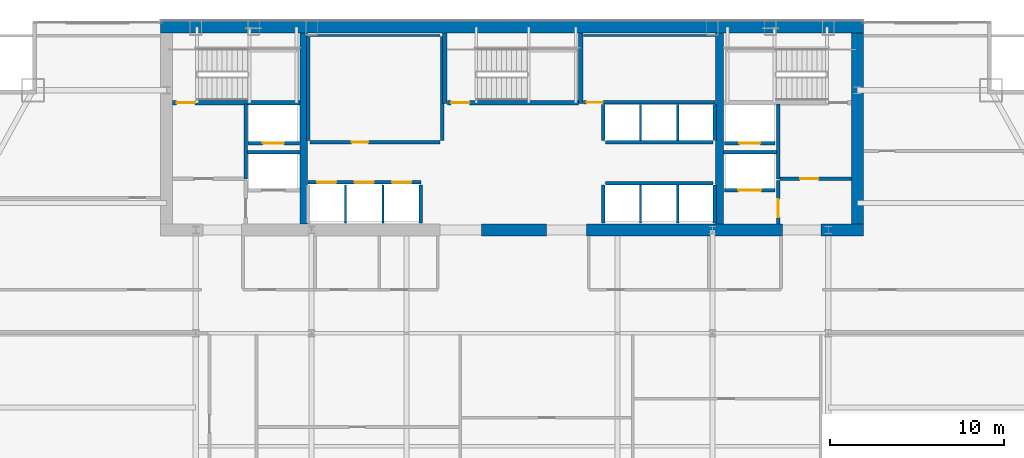
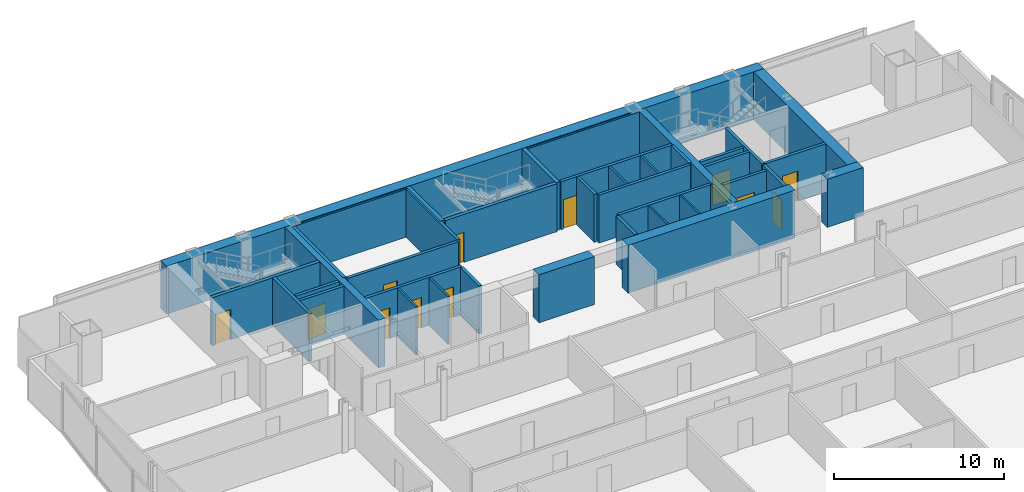
# One storey, part 26 of 29: 40 walls, 12 doors, 12 openings.
"""IFC4 building model written with IfcOpenShell, lengths in metres."""

import ifcopenshell
import ifcopenshell.guid

model = None  # the IFC model being written
_history = None  # IfcOwnerHistory: only IFC2X3 demands one
_inside = {}  # id of a spatial element -> (the spatial element, [elements in it])
_under = {}  # id of a project, library or spatial element -> (it, [spatial elements below it])
_declared = {}  # id of a project -> (the project, [libraries it declares])
_typed = {}  # id of a type object -> (the type object, [elements of that type])
_made_of = {}  # id of a material, layer set ... -> (it, [elements and type objects made of it])


def new_model(schema):
    """Start an empty IFC model of exactly this schema.

    Asked for "IFC4X3", IfcOpenShell would pick the latest addendum, in which some entities
    have other attributes; the version numbers below select the first issue.
    IFC2X3 requires an IfcOwnerHistory on every rooted entity: one is made here for all.
    """
    global model, _history
    if schema == "IFC4X3":
        model = ifcopenshell.file(schema_version=(4, 3, 0, 0))
    else:
        model = ifcopenshell.file(schema=schema)
    _inside.clear()
    _under.clear()
    _declared.clear()
    _typed.clear()
    _made_of.clear()
    _history = None
    if model.schema == "IFC2X3":
        org = make("IfcOrganization", Name="unknown")
        user = make(
            "IfcPersonAndOrganization",
            ThePerson=make("IfcPerson", FamilyName="unknown"),
            TheOrganization=org,
        )
        app = make(
            "IfcApplication",
            ApplicationDeveloper=org,
            Version="unknown",
            ApplicationFullName="unknown",
            ApplicationIdentifier="unknown",
        )
        _history = make(
            "IfcOwnerHistory",
            OwningUser=user,
            OwningApplication=app,
            ChangeAction="ADDED",
            CreationDate=0,
        )
    return model


def make(cls, **values):
    """One entity of the class cls with the attributes given. An attribute that is None is left unset."""
    return model.create_entity(
        cls, **{name: value for name, value in values.items() if value is not None}
    )


def rooted(cls, **values):
    """An entity with a GlobalId (a new one), such as an element, a storey or a relation."""
    return make(cls, GlobalId=ifcopenshell.guid.new(), OwnerHistory=_history, **values)


def si_unit(unit_type, name, prefix=None):
    """IfcSIUnit, for example si_unit("LENGTHUNIT", "METRE", prefix="MILLI")."""
    return make("IfcSIUnit", UnitType=unit_type, Prefix=prefix, Name=name)


def assignment(units):
    """IfcUnitAssignment: the units of a project."""
    return None if units is None else make("IfcUnitAssignment", Units=units)


def point(xyz):
    """IfcCartesianPoint."""
    return None if xyz is None else make("IfcCartesianPoint", Coordinates=xyz)


def direction(xyz):
    """IfcDirection."""
    return None if xyz is None else make("IfcDirection", DirectionRatios=xyz)


def frame(location, z_axis=None, x_axis=None):
    """IfcAxis2Placement3D, a coordinate frame: its origin and axes. An axis left out is left unset."""
    return make(
        "IfcAxis2Placement3D",
        Location=point(location),
        Axis=direction(z_axis),
        RefDirection=direction(x_axis),
    )


def frame_2d(location, x_axis=None):
    """IfcAxis2Placement2D, a coordinate frame in the plane: its origin and x axis."""
    return make(
        "IfcAxis2Placement2D", Location=point(location), RefDirection=direction(x_axis)
    )


def origin():
    """The frame at (0, 0, 0) with its axes left unset."""
    return frame((0.0, 0.0, 0.0))


def place(relative_to, where):
    """IfcLocalPlacement: puts the frame where relative to a parent placement (None: the world)."""
    return make(
        "IfcLocalPlacement", PlacementRelTo=relative_to, RelativePlacement=where
    )


def context(
    kind, dimensions, precision=None, world=None, true_north=None, identifier=None
):
    """IfcGeometricRepresentationContext, for example the 3D "Model" context."""
    return make(
        "IfcGeometricRepresentationContext",
        ContextIdentifier=identifier,
        ContextType=kind,
        CoordinateSpaceDimension=dimensions,
        Precision=precision,
        WorldCoordinateSystem=world,
        TrueNorth=true_north,
    )


def subcontext(parent, identifier, kind, view, scale=None):
    """IfcGeometricRepresentationSubContext, for example "Body" below "Model"."""
    return make(
        "IfcGeometricRepresentationSubContext",
        ContextIdentifier=identifier,
        ContextType=kind,
        ParentContext=parent,
        TargetScale=scale,
        TargetView=view,
    )


def project(units=None, contexts=None):
    """IfcProject with its units and contexts."""
    return rooted(
        "IfcProject",
        Name="project",
        RepresentationContexts=contexts,
        UnitsInContext=assignment(units),
    )


def spatial(cls, under=None, at=None, **own):
    """A site, building, storey or space (cls), placed at a placement, below another one or the project."""
    s = rooted(cls, ObjectPlacement=at, **own)
    if under is not None:
        _under.setdefault(under.id(), (under, []))[1].append(s)
    return s


def profile(cls, at=None, kind="AREA", **sizes):
    """A parametric profile (cls). Its sizes go by their IFC names, for example OverallWidth=200.0."""
    return make(cls, ProfileType=kind, Position=at, **sizes)


def rectangle(**sizes):
    """IfcRectangleProfileDef."""
    return profile("IfcRectangleProfileDef", **sizes)


def extrude(swept, where, along, depth):
    """IfcExtrudedAreaSolid: the profile swept, set in the frame where, extruded along a direction by depth."""
    return make(
        "IfcExtrudedAreaSolid",
        SweptArea=swept,
        Position=where,
        ExtrudedDirection=direction(along),
        Depth=depth,
    )


def shape(context_of_items, identifier, shape_type, items):
    """IfcShapeRepresentation: the items that make up one representation, for example the "Body"."""
    return make(
        "IfcShapeRepresentation",
        ContextOfItems=context_of_items,
        RepresentationIdentifier=identifier,
        RepresentationType=shape_type,
        Items=items,
    )


def material(Name=None, Category=None):
    """IfcMaterial."""
    return make("IfcMaterial", Name=Name, Category=Category)


def layer(
    of_material, thickness, ventilated=None, Name=None, Category=None, Priority=None
):
    """IfcMaterialLayer: one layer of a wall or slab, of a material (None: an air gap)."""
    return make(
        "IfcMaterialLayer",
        Material=of_material,
        LayerThickness=thickness,
        IsVentilated=ventilated,
        Name=Name,
        Category=Category,
        Priority=Priority,
    )


def layer_set(layers, Name=None):
    """IfcMaterialLayerSet."""
    return make("IfcMaterialLayerSet", MaterialLayers=layers, LayerSetName=Name)


def made_of(thing, what):
    """Note that an element or type object is made of a material, layer set ...; save() writes the relation."""
    if what is not None:
        _made_of.setdefault(what.id(), (what, []))[1].append(thing)
    return thing


def type_object(cls, material=None, **own):
    """A type object (cls), such as IfcWallType, which elements share."""
    return made_of(rooted(cls, **own), material)


def element(
    cls,
    number,
    at=None,
    inside=None,
    cuts=None,
    type_object=None,
    material=None,
    context=None,
    identifier="Body",
    shape_type=None,
    held_by="IfcProductDefinitionShape",
    body=None,
    shapes=None,
    **own,
):
    """One element of the class cls, such as IfcWall. Its Tag is "e" and its number.

    at: its placement. inside: the storey or other place that contains it. cuts: it is an
    opening in that element (IfcRelVoidsElement). A single representation is given by context,
    identifier, shape_type and body (its items); several are given by shapes. held_by: the class
    of the entity that holds the representations. save() writes the other relations.
    """
    e = rooted(cls, Tag="e%d" % number, ObjectPlacement=at, **own)
    if body is not None:
        shapes = [shape(context, identifier, shape_type, body)]
    if shapes is not None:
        e.Representation = make(held_by, Representations=shapes)
    if inside is not None:
        _inside.setdefault(inside.id(), (inside, []))[1].append(e)
    if cuts is not None:
        rooted(
            "IfcRelVoidsElement", RelatingBuildingElement=cuts, RelatedOpeningElement=e
        )
    if type_object is not None:
        _typed.setdefault(type_object.id(), (type_object, []))[1].append(e)
    return made_of(e, material)


def fill(opening, filler):
    """IfcRelFillsElement: the door or window that sits in an opening."""
    return rooted(
        "IfcRelFillsElement",
        RelatingOpeningElement=opening,
        RelatedBuildingElement=filler,
    )


def aggregate(whole, parts):
    """IfcRelAggregates: a whole, such as a stair, and the parts it consists of."""
    return rooted("IfcRelAggregates", RelatingObject=whole, RelatedObjects=parts)


def save(model, path):
    """Write the relations noted so far, then the file.

    IfcRelAggregates (storeys below a building ...), IfcRelContainedInSpatialStructure (elements
    in a storey), IfcRelDefinesByType, IfcRelAssociatesMaterial and IfcRelDeclares: one each for
    every whole, place, type object, material and project.
    """
    for whole, parts in _under.values():
        aggregate(whole, parts)
    for where, things in _inside.values():
        rooted(
            "IfcRelContainedInSpatialStructure",
            RelatedElements=things,
            RelatingStructure=where,
        )
    for kind, things in _typed.values():
        rooted("IfcRelDefinesByType", RelatedObjects=things, RelatingType=kind)
    for what, things in _made_of.values():
        rooted("IfcRelAssociatesMaterial", RelatedObjects=things, RelatingMaterial=what)
    for by, libraries in _declared.values():
        rooted("IfcRelDeclares", RelatingContext=by, RelatedDefinitions=libraries)
    model.write(path)


model = new_model("IFC4")

# Units and contexts
model_context = context("Model", 3, precision=1e-05, world=origin(), true_north=direction((0.0, 1.0)))
body_context = subcontext(model_context, "Body", "Model", "MODEL_VIEW")
ifc_project = project(units=[si_unit("LENGTHUNIT", "METRE"), si_unit("AREAUNIT", "SQUARE_METRE"), si_unit("VOLUMEUNIT", "CUBIC_METRE"), si_unit("PLANEANGLEUNIT", "RADIAN"), si_unit("MASSUNIT", "GRAM", prefix="KILO")], contexts=[model_context])

# Site, building, storey
site_placement = place(None, origin())
site = spatial("IfcSite", under=ifc_project, at=site_placement, CompositionType="ELEMENT")
building_placement = place(site_placement, origin())
building = spatial("IfcBuilding", under=site, at=building_placement, Name="Khoronbel Lancet Exchange", CompositionType="ELEMENT")
storey_placement = place(building_placement, frame((0.0, 0.0, 143.39990234375)))
storey = spatial("IfcBuildingStorey", under=building, at=storey_placement, Name="L35", CompositionType="ELEMENT", Elevation=143.39990234375)

# Walls
ifc_material_1 = material(Name="Concrete C80/95", Category="concrete")
ifc_layer_1 = layer(ifc_material_1, 0.699951171875, Name="Concrete C80/95")
ifc_layer_set_1 = layer_set([ifc_layer_1], Name="Concrete C80/95")
wall_type_1 = type_object("IfcWallType", Name="WL-CW2", PredefinedType="SHEAR", material=ifc_layer_set_1)
wall_1_placement = place(storey_placement, frame((16.199951171875, 53.35009765625, 0.0), z_axis=(0.0, 0.0, 1.0), x_axis=(1.0, 0.0, 0.0)))
element("IfcWall", 1, at=wall_1_placement, inside=storey, type_object=wall_type_1, Name="Level L35 rear core north shear wall", PredefinedType="SHEAR", context=body_context, shape_type="SweptSolid", body=[
    extrude(rectangle(XDim=40.5, YDim=0.699951171875, at=frame_2d((20.25, 0.0))), origin(), (0.0, 0.0, 1.0), 3.440185546875),
])
wall_2_placement = place(storey_placement, frame((56.35009765625, 53.0, 0.0), z_axis=(0.0, 0.0, 1.0), x_axis=(0.0, -1.0, 0.0)))
element("IfcWall", 2, at=wall_2_placement, inside=storey, type_object=wall_type_1, Name="Level L35 rear core east shear wall", PredefinedType="SHEAR", context=body_context, shape_type="SweptSolid", body=[
    extrude(rectangle(XDim=11.0, YDim=0.699951171875, at=frame_2d((5.5, 0.0))), origin(), (0.0, 0.0, 1.0), 3.440185546875),
])
wall_3_placement = place(storey_placement, frame((38.449951171875, 41.64990234375, 0.0), z_axis=(0.0, 0.0, 1.0), x_axis=(-1.0, 0.0, 0.0)))
element("IfcWall", 3, at=wall_3_placement, inside=storey, type_object=wall_type_1, Name="Level L35 rear core south shear wall pier P3", PredefinedType="SHEAR", context=body_context, shape_type="SweptSolid", body=[
    extrude(rectangle(XDim=3.75, YDim=0.699951171875, at=frame_2d((1.875, 0.0))), origin(), (0.0, 0.0, 1.0), 3.440185546875),
])
wall_4_placement = place(storey_placement, frame((52.050048828125, 41.64990234375, 0.0), z_axis=(0.0, 0.0, 1.0), x_axis=(-1.0, 0.0, 0.0)))
element("IfcWall", 4, at=wall_4_placement, inside=storey, type_object=wall_type_1, Name="Level L35 rear core south shear wall pier P4", PredefinedType="SHEAR", context=body_context, shape_type="SweptSolid", body=[
    extrude(rectangle(XDim=11.300048828125, YDim=0.699951171875, at=frame_2d((5.64990234375, 0.0))), origin(), (0.0, 0.0, 1.0), 3.440185546875),
])
wall_5_placement = place(storey_placement, frame((56.699951171875, 41.64990234375, 0.0), z_axis=(0.0, 0.0, 1.0), x_axis=(-1.0, 0.0, 0.0)))
element("IfcWall", 5, at=wall_5_placement, inside=storey, type_object=wall_type_1, Name="Level L35 rear core south shear wall pier P5", PredefinedType="SHEAR", context=body_context, shape_type="SweptSolid", body=[
    extrude(rectangle(XDim=2.449951171875, YDim=0.699951171875, at=frame_2d((1.22509765625, 0.0))), origin(), (0.0, 0.0, 1.0), 3.440185546875),
])
ifc_material_2 = material(Name="Fire-Rated Metal-Stud & Mineral-Wool Gypsum Partition 120 mm", Category="gypsum")
ifc_layer_2 = layer(ifc_material_2, 0.1201171875, Name="Fire-Rated Metal-Stud & Mineral-Wool Gypsum Partition 120 mm")
ifc_layer_set_2 = layer_set([ifc_layer_2], Name="Fire-Rated Metal-Stud & Mineral-Wool Gypsum Partition 120 mm")
wall_type_2 = type_object("IfcWallType", Name="WL-PRT120F", PredefinedType="PARTITIONING", material=ifc_layer_set_2)
wall_6_placement = place(storey_placement, frame((24.804931640625, 52.860107421875, 0.0), z_axis=(0.0, 0.0, 1.0), x_axis=(1.0, 0.0, 0.0)))
element("IfcWall", 6, at=wall_6_placement, inside=storey, type_object=wall_type_2, Name="Level L35 interior partition CW-PL-RN", PredefinedType="PARTITIONING", context=body_context, shape_type="SweptSolid", body=[
    extrude(rectangle(XDim=7.510009765625, YDim=0.1201171875, at=frame_2d((3.7548828125, 0.0))), origin(), (0.0, 0.0, 1.0), 3.440185546875),
])
for number, where, z_axis, x_axis, name in (
    (7, (26.860107421875, 42.050048828125, 0.0), (0.0, 0.0, 1.0), (0.0, 1.0, 0.0), "Level L35 interior partition CW-PM-D1"),
    (8, (29.02001953125, 42.050048828125, 0.0), (0.0, 0.0, 1.0), (0.0, 1.0, 0.0), "Level L35 interior partition CW-PM-D2"),
):
    element("IfcWall", number, at=place(storey_placement, frame(where, z_axis=z_axis, x_axis=x_axis)), inside=storey, type_object=wall_type_2, Name=name, PredefinedType="PARTITIONING", context=body_context, shape_type="SweptSolid", body=[
        extrude(rectangle(XDim=2.199951171875, YDim=0.1201171875, at=frame_2d((1.10009765625, 0.0))), origin(), (0.0, 0.0, 1.0), 3.440185546875),
    ])
for number, where, z_axis, x_axis, name in (
    (9, (43.860107421875, 46.804931640625, 0.0), (0.0, 0.0, 1.0), (0.0, 1.0, 0.0), "Level L35 interior partition CW-PH-D1"),
    (10, (46.0, 46.804931640625, 0.0), (0.0, 0.0, 1.0), (0.0, 1.0, 0.0), "Level L35 interior partition CW-PH-D2"),
):
    element("IfcWall", number, at=place(storey_placement, frame(where, z_axis=z_axis, x_axis=x_axis)), inside=storey, type_object=wall_type_2, Name=name, PredefinedType="PARTITIONING", context=body_context, shape_type="SweptSolid", body=[
        extrude(rectangle(XDim=2.090087890625, YDim=0.1201171875, at=frame_2d((1.044921875, 0.0))), origin(), (0.0, 0.0, 1.0), 3.440185546875),
    ])
for number, where, z_axis, x_axis, name in (
    (11, (43.860107421875, 42.050048828125, 0.0), (0.0, 0.0, 1.0), (0.0, 1.0, 0.0), "Level L35 interior partition CW-PX-D1"),
    (12, (46.0, 42.050048828125, 0.0), (0.0, 0.0, 1.0), (0.0, 1.0, 0.0), "Level L35 interior partition CW-PX-D2"),
):
    element("IfcWall", number, at=place(storey_placement, frame(where, z_axis=z_axis, x_axis=x_axis)), inside=storey, type_object=wall_type_2, Name=name, PredefinedType="PARTITIONING", context=body_context, shape_type="SweptSolid", body=[
        extrude(rectangle(XDim=2.195068359375, YDim=0.1201171875, at=frame_2d((1.09765625, 0.0))), origin(), (0.0, 0.0, 1.0), 3.440185546875),
    ])
wall_7_placement = place(storey_placement, frame((40.580078125, 52.860107421875, 0.0), z_axis=(0.0, 0.0, 1.0), x_axis=(1.0, 0.0, 0.0)))
element("IfcWall", 13, at=wall_7_placement, inside=storey, type_object=wall_type_2, Name="Level L35 interior partition CW-SUP-NE-N", PredefinedType="PARTITIONING", context=body_context, shape_type="SweptSolid", body=[
    extrude(rectangle(XDim=7.559814453125, YDim=0.1201171875, at=frame_2d((3.77978515625, 0.0))), origin(), (0.0, 0.0, 1.0), 3.440185546875),
])

# Wall, openings, doors
ifc_material_3 = material(Name="Autoclaved Aerated Concrete Blockwork 200 mm", Category="masonry")
ifc_layer_3 = layer(ifc_material_3, 0.199951171875, Name="Autoclaved Aerated Concrete Blockwork 200 mm")
ifc_layer_set_3 = layer_set([ifc_layer_3], Name="Autoclaved Aerated Concrete Blockwork 200 mm")
wall_type_3 = type_object("IfcWallType", Name="WL-PRT200", PredefinedType="PARTITIONING", material=ifc_layer_set_3)
wall_8_placement = place(storey_placement, frame((24.68994140625, 44.39990234375, 0.0), z_axis=(0.0, 0.0, 1.0), x_axis=(1.0, 0.0, 0.0)))
wall_8 = element("IfcWall", 14, at=wall_8_placement, inside=storey, type_object=wall_type_3, Name="Level L35 elevator hoistway landing front wall PMW", PredefinedType="PARTITIONING", context=body_context, shape_type="SweptSolid", body=[
    extrude(rectangle(XDim=6.530029296875, YDim=0.199951171875, at=frame_2d((3.26513671875, 0.0))), origin(), (0.0, 0.0, 1.0), 3.440185546875),
])
opening_1_placement = place(wall_8_placement, frame((0.530029296875, 0.0, 0.0)))
opening_1 = element("IfcOpeningElement", 15, at=opening_1_placement, cuts=wall_8, Name="Opening LD-PM1", PredefinedType="OPENING", context=body_context, shape_type="SweptSolid", body=[
    extrude(rectangle(XDim=1.10009765625, YDim=2.179931640625, at=frame_2d((0.550048828125, 1.08984375))), frame((0.0, 0.10986328125, 0.0), z_axis=(0.0, -1.0, 0.0), x_axis=(1.0, 0.0, 0.0)), (0.0, 0.0, 1.0), 0.219970703125),
])
opening_2_placement = place(wall_8_placement, frame((2.68994140625, 0.0, 0.0)))
opening_2 = element("IfcOpeningElement", 16, at=opening_2_placement, cuts=wall_8, Name="Opening LD-PM2", PredefinedType="OPENING", context=body_context, shape_type="SweptSolid", body=[
    extrude(rectangle(XDim=1.10009765625, YDim=2.179931640625, at=frame_2d((0.550048828125, 1.08984375))), frame((0.0, 0.10986328125, 0.0), z_axis=(0.0, -1.0, 0.0), x_axis=(1.0, 0.0, 0.0)), (0.0, 0.0, 1.0), 0.219970703125),
])
opening_3_placement = place(wall_8_placement, frame((4.85009765625, 0.0, 0.0)))
opening_3 = element("IfcOpeningElement", 17, at=opening_3_placement, cuts=wall_8, Name="Opening LD-PM3", PredefinedType="OPENING", context=body_context, shape_type="SweptSolid", body=[
    extrude(rectangle(XDim=1.10009765625, YDim=2.179931640625, at=frame_2d((0.550048828125, 1.08984375))), frame((0.0, 0.10986328125, 0.0), z_axis=(0.0, -1.0, 0.0), x_axis=(1.0, 0.0, 0.0)), (0.0, 0.0, 1.0), 0.219970703125),
])
ifc_material_4 = material(Name="Brushed Bronze Bi-Parting Elevator Landing Door", Category="steel")
door_type_1 = type_object("IfcDoorType", Name="DR-LD-PAX", OperationType="NOTDEFINED", PredefinedType="DOOR", material=ifc_material_4)
door_1_placement = place(opening_1_placement, origin())
door_1 = element("IfcDoor", 18, at=door_1_placement, inside=storey, type_object=door_type_1, Name="Elevator landing sliding door LD-PM1 L35", OperationType="SLIDING_TO_LEFT", OverallHeight=2.179931640625, OverallWidth=1.10009765625, PredefinedType="DOOR", context=body_context, shape_type="SweptSolid", body=[
    extrude(rectangle(XDim=1.10009765625, YDim=2.179931640625, at=frame_2d((0.550048828125, 1.08984375))), frame((0.0, 0.02490234375, 0.0), z_axis=(0.0, -1.0, 0.0), x_axis=(1.0, 0.0, 0.0)), (0.0, 0.0, 1.0), 0.050048828125),
])
fill(opening_1, door_1)
door_2_placement = place(opening_2_placement, origin())
door_2 = element("IfcDoor", 19, at=door_2_placement, inside=storey, type_object=door_type_1, Name="Elevator landing sliding door LD-PM2 L35", OperationType="SLIDING_TO_LEFT", OverallHeight=2.179931640625, OverallWidth=1.10009765625, PredefinedType="DOOR", context=body_context, shape_type="SweptSolid", body=[
    extrude(rectangle(XDim=1.10009765625, YDim=2.179931640625, at=frame_2d((0.550048828125, 1.08984375))), frame((0.0, 0.02490234375, 0.0), z_axis=(0.0, -1.0, 0.0), x_axis=(1.0, 0.0, 0.0)), (0.0, 0.0, 1.0), 0.050048828125),
])
fill(opening_2, door_2)
door_3_placement = place(opening_3_placement, origin())
door_3 = element("IfcDoor", 20, at=door_3_placement, inside=storey, type_object=door_type_1, Name="Elevator landing sliding door LD-PM3 L35", OperationType="SLIDING_TO_LEFT", OverallHeight=2.179931640625, OverallWidth=1.10009765625, PredefinedType="DOOR", context=body_context, shape_type="SweptSolid", body=[
    extrude(rectangle(XDim=1.10009765625, YDim=2.179931640625, at=frame_2d((0.550048828125, 1.08984375))), frame((0.0, 0.02490234375, 0.0), z_axis=(0.0, -1.0, 0.0), x_axis=(1.0, 0.0, 0.0)), (0.0, 0.0, 1.0), 0.050048828125),
])
fill(opening_3, door_3)

# Wall, opening, door
wall_9_placement = place(storey_placement, frame((51.610107421875, 43.949951171875, 0.0), z_axis=(0.0, 0.0, 1.0), x_axis=(-1.0, 0.0, 0.0)))
wall_9 = element("IfcWall", 21, at=wall_9_placement, inside=storey, type_object=wall_type_3, Name="Level L35 elevator hoistway landing front wall SVLE", PredefinedType="PARTITIONING", context=body_context, shape_type="SweptSolid", body=[
    extrude(rectangle(XDim=2.920166015625, YDim=0.199951171875, at=frame_2d((1.4599609375, 0.0))), origin(), (0.0, 0.0, 1.0), 3.440185546875),
])
opening_4_placement = place(wall_9_placement, frame((0.81005859375, 0.0, 0.0)))
opening_4 = element("IfcOpeningElement", 22, at=opening_4_placement, cuts=wall_9, Name="Opening LD-SVL2", PredefinedType="OPENING", context=body_context, shape_type="SweptSolid", body=[
    extrude(rectangle(XDim=1.300048828125, YDim=2.179931640625, at=frame_2d((0.64990234375, 1.08984375))), frame((0.0, 0.10986328125, 0.0), z_axis=(0.0, -1.0, 0.0), x_axis=(1.0, 0.0, 0.0)), (0.0, 0.0, 1.0), 0.219970703125),
])
ifc_material_5 = material(Name="Heavy-Duty Bi-Parting Goods Lift Landing Door", Category="steel")
door_type_2 = type_object("IfcDoorType", Name="DR-LD-SVL", OperationType="NOTDEFINED", PredefinedType="DOOR", material=ifc_material_5)
door_4_placement = place(opening_4_placement, origin())
door_4 = element("IfcDoor", 23, at=door_4_placement, inside=storey, type_object=door_type_2, Name="Elevator landing sliding door LD-SVL2 L35", OperationType="SLIDING_TO_LEFT", OverallHeight=2.179931640625, OverallWidth=1.300048828125, PredefinedType="DOOR", context=body_context, shape_type="SweptSolid", body=[
    extrude(rectangle(XDim=1.300048828125, YDim=2.179931640625, at=frame_2d((0.64990234375, 1.08984375))), frame((0.0, 0.02490234375, 0.0), z_axis=(0.0, -1.0, 0.0), x_axis=(1.0, 0.0, 0.0)), (0.0, 0.0, 1.0), 0.050048828125),
])
fill(opening_4, door_4)

wall_10_placement = place(storey_placement, frame((51.610107421875, 46.64990234375, 0.0), z_axis=(0.0, 0.0, 1.0), x_axis=(-1.0, 0.0, 0.0)))
wall_10 = element("IfcWall", 24, at=wall_10_placement, inside=storey, type_object=wall_type_3, Name="Level L35 elevator hoistway landing front wall FFLE", PredefinedType="PARTITIONING", context=body_context, shape_type="SweptSolid", body=[
    extrude(rectangle(XDim=2.920166015625, YDim=0.199951171875, at=frame_2d((1.4599609375, 0.0))), origin(), (0.0, 0.0, 1.0), 3.440185546875),
])
opening_5_placement = place(wall_10_placement, frame((0.860107421875, 0.0, 0.0)))
opening_5 = element("IfcOpeningElement", 25, at=opening_5_placement, cuts=wall_10, Name="Opening LD-FFL2", PredefinedType="OPENING", context=body_context, shape_type="SweptSolid", body=[
    extrude(rectangle(XDim=1.199951171875, YDim=2.179931640625, at=frame_2d((0.60009765625, 1.08984375))), frame((0.0, 0.10986328125, 0.0), z_axis=(0.0, -1.0, 0.0), x_axis=(1.0, 0.0, 0.0)), (0.0, 0.0, 1.0), 0.219970703125),
])
ifc_material_6 = material(Name="Fire-Rated Stainless Bi-Parting Firefighting Lift Door", Category="steel")
door_type_3 = type_object("IfcDoorType", Name="DR-LD-FFL", OperationType="NOTDEFINED", PredefinedType="DOOR", material=ifc_material_6)
door_5_placement = place(opening_5_placement, origin())
door_5 = element("IfcDoor", 26, at=door_5_placement, inside=storey, type_object=door_type_3, Name="Elevator landing sliding door LD-FFL2 L35", OperationType="SLIDING_TO_LEFT", OverallHeight=2.179931640625, OverallWidth=1.199951171875, PredefinedType="DOOR", context=body_context, shape_type="SweptSolid", body=[
    extrude(rectangle(XDim=1.199951171875, YDim=2.179931640625, at=frame_2d((0.60009765625, 1.08984375))), frame((0.0, 0.02490234375, 0.0), z_axis=(0.0, -1.0, 0.0), x_axis=(1.0, 0.0, 0.0)), (0.0, 0.0, 1.0), 0.050048828125),
])
fill(opening_5, door_5)

wall_11_placement = place(storey_placement, frame((24.2099609375, 46.64990234375, 0.0), z_axis=(0.0, 0.0, 1.0), x_axis=(-1.0, 0.0, 0.0)))
wall_11 = element("IfcWall", 27, at=wall_11_placement, inside=storey, type_object=wall_type_3, Name="Level L35 elevator hoistway landing front wall FFLW", PredefinedType="PARTITIONING", context=body_context, shape_type="SweptSolid", body=[
    extrude(rectangle(XDim=2.969970703125, YDim=0.199951171875, at=frame_2d((1.48486328125, 0.0))), origin(), (0.0, 0.0, 1.0), 3.440185546875),
])
opening_6_placement = place(wall_11_placement, frame((0.909912109375, 0.0, 0.0)))
opening_6 = element("IfcOpeningElement", 28, at=opening_6_placement, cuts=wall_11, Name="Opening LD-FFL1", PredefinedType="OPENING", context=body_context, shape_type="SweptSolid", body=[
    extrude(rectangle(XDim=1.199951171875, YDim=2.179931640625, at=frame_2d((0.60009765625, 1.08984375))), frame((0.0, 0.10986328125, 0.0), z_axis=(0.0, -1.0, 0.0), x_axis=(1.0, 0.0, 0.0)), (0.0, 0.0, 1.0), 0.219970703125),
])
door_6_placement = place(opening_6_placement, origin())
door_6 = element("IfcDoor", 29, at=door_6_placement, inside=storey, type_object=door_type_3, Name="Elevator landing sliding door LD-FFL1 L35", OperationType="SLIDING_TO_LEFT", OverallHeight=2.179931640625, OverallWidth=1.199951171875, PredefinedType="DOOR", context=body_context, shape_type="SweptSolid", body=[
    extrude(rectangle(XDim=1.199951171875, YDim=2.179931640625, at=frame_2d((0.60009765625, 1.08984375))), frame((0.0, 0.02490234375, 0.0), z_axis=(0.0, -1.0, 0.0), x_axis=(1.0, 0.0, 0.0)), (0.0, 0.0, 1.0), 0.050048828125),
])
fill(opening_6, door_6)

# Walls
wall_12_placement = place(storey_placement, frame((21.10009765625, 44.60009765625, 0.0), z_axis=(0.0, 0.0, 1.0), x_axis=(0.0, 1.0, 0.0)))
element("IfcWall", 30, at=wall_12_placement, inside=storey, type_object=wall_type_3, Name="Level L35 interior partition CW-FFLW-E", PredefinedType="PARTITIONING", context=body_context, shape_type="SweptSolid", body=[
    extrude(rectangle(XDim=4.2998046875, YDim=0.199951171875, at=frame_2d((2.14990234375, 0.0))), origin(), (0.0, 0.0, 1.0), 3.440185546875),
])
wall_13_placement = place(storey_placement, frame((21.199951171875, 46.1201171875, 0.0), z_axis=(0.0, 0.0, 1.0), x_axis=(1.0, 0.0, 0.0)))
element("IfcWall", 31, at=wall_13_placement, inside=storey, type_object=wall_type_3, Name="Level L35 interior partition CW-FFL1-S", PredefinedType="PARTITIONING", context=body_context, shape_type="SweptSolid", body=[
    extrude(rectangle(XDim=3.02001953125, YDim=0.199951171875, at=frame_2d((1.510009765625, 0.0))), origin(), (0.0, 0.0, 1.0), 3.440185546875),
])
wall_14_placement = place(storey_placement, frame((51.800048828125, 44.60009765625, 0.0), z_axis=(0.0, 0.0, 1.0), x_axis=(0.0, 1.0, 0.0)))
element("IfcWall", 32, at=wall_14_placement, inside=storey, type_object=wall_type_3, Name="Level L35 interior partition CW-FFLE-W", PredefinedType="PARTITIONING", context=body_context, shape_type="SweptSolid", body=[
    extrude(rectangle(XDim=4.2998046875, YDim=0.199951171875, at=frame_2d((2.14990234375, 0.0))), origin(), (0.0, 0.0, 1.0), 3.440185546875),
])

# Wall, opening, door
wall_15_placement = place(storey_placement, frame((51.89990234375, 44.60009765625, 0.0), z_axis=(0.0, 0.0, 1.0), x_axis=(1.0, 0.0, 0.0)))
wall_15 = element("IfcWall", 33, at=wall_15_placement, inside=storey, type_object=wall_type_3, Name="Level L35 interior partition CW-FFLE-S", PredefinedType="PARTITIONING", context=body_context, shape_type="SweptSolid", body=[
    extrude(rectangle(XDim=4.10009765625, YDim=0.199951171875, at=frame_2d((2.050048828125, 0.0))), origin(), (0.0, 0.0, 1.0), 3.440185546875),
])
opening_7_placement = place(wall_15_placement, frame((1.14990234375, 0.0, 0.0)))
opening_7 = element("IfcOpeningElement", 34, at=opening_7_placement, cuts=wall_15, Name="Opening FD1", PredefinedType="OPENING", context=body_context, shape_type="SweptSolid", body=[
    extrude(rectangle(XDim=1.050048828125, YDim=2.14990234375, at=frame_2d((0.52490234375, 1.074951171875))), frame((0.0, 0.10986328125, 0.0), z_axis=(0.0, -1.0, 0.0), x_axis=(1.0, 0.0, 0.0)), (0.0, 0.0, 1.0), 0.219970703125),
])
ifc_material_7 = material(Name="Fire-Rated Painted Steel Door Assembly", Category="steel")
door_type_4 = type_object("IfcDoorType", Name="DR-FD1", OperationType="NOTDEFINED", PredefinedType="DOOR", material=ifc_material_7)
door_7_placement = place(opening_7_placement, origin())
door_7 = element("IfcDoor", 35, at=door_7_placement, inside=storey, type_object=door_type_4, Name="East firefighting lobby FD90S door L35-1", OperationType="SINGLE_SWING_LEFT", OverallHeight=2.14990234375, OverallWidth=1.050048828125, PredefinedType="DOOR", context=body_context, shape_type="SweptSolid", body=[
    extrude(rectangle(XDim=1.050048828125, YDim=2.14990234375, at=frame_2d((0.52490234375, 1.074951171875))), frame((0.0, 0.02490234375, 0.0), z_axis=(0.0, -1.0, 0.0), x_axis=(1.0, 0.0, 0.0)), (0.0, 0.0, 1.0), 0.050048828125),
])
fill(opening_7, door_7)

# Wall
wall_16_placement = place(storey_placement, frame((48.6298828125, 46.1201171875, 0.0), z_axis=(0.0, 0.0, 1.0), x_axis=(1.0, 0.0, 0.0)))
element("IfcWall", 36, at=wall_16_placement, inside=storey, type_object=wall_type_3, Name="Level L35 interior partition CW-FFL2-S", PredefinedType="PARTITIONING", context=body_context, shape_type="SweptSolid", body=[
    extrude(rectangle(XDim=3.070068359375, YDim=0.199951171875, at=frame_2d((1.53515625, 0.0))), origin(), (0.0, 0.0, 1.0), 3.440185546875),
])

# Wall, opening, door
wall_17_placement = place(storey_placement, frame((51.800048828125, 42.0, 0.0), z_axis=(0.0, 0.0, 1.0), x_axis=(0.0, 1.0, 0.0)))
wall_17 = element("IfcWall", 37, at=wall_17_placement, inside=storey, type_object=wall_type_3, Name="Level L35 interior partition CW-SVLE-E", PredefinedType="PARTITIONING", context=body_context, shape_type="SweptSolid", body=[
    extrude(rectangle(XDim=2.4951171875, YDim=0.199951171875, at=frame_2d((1.24755859375, 0.0))), origin(), (0.0, 0.0, 1.0), 3.440185546875),
])
opening_8_placement = place(wall_17_placement, frame((0.3798828125, 0.0, 0.0)))
opening_8 = element("IfcOpeningElement", 38, at=opening_8_placement, cuts=wall_17, Name="Opening FD1", PredefinedType="OPENING", context=body_context, shape_type="SweptSolid", body=[
    extrude(rectangle(XDim=1.050048828125, YDim=2.14990234375, at=frame_2d((0.52490234375, 1.074951171875))), frame((0.0, 0.10986328125, 0.0), z_axis=(0.0, -1.0, 0.0), x_axis=(1.0, 0.0, 0.0)), (0.0, 0.0, 1.0), 0.219970703125),
])
door_8_placement = place(opening_8_placement, origin())
door_8 = element("IfcDoor", 39, at=door_8_placement, inside=storey, type_object=door_type_4, Name="East service lift lobby door L35-1", OperationType="SINGLE_SWING_RIGHT", OverallHeight=2.14990234375, OverallWidth=1.050048828125, PredefinedType="DOOR", context=body_context, shape_type="SweptSolid", body=[
    extrude(rectangle(XDim=1.050048828125, YDim=2.14990234375, at=frame_2d((0.52490234375, 1.074951171875))), frame((0.0, 0.02490234375, 0.0), z_axis=(0.0, -1.0, 0.0), x_axis=(1.0, 0.0, 0.0)), (0.0, 0.0, 1.0), 0.050048828125),
])
fill(opening_8, door_8)

# Walls
for number, where, z_axis, x_axis, name in (
    (40, (24.699951171875, 46.804931640625, 0.0), (0.0, 0.0, 1.0), (0.0, 1.0, 0.0), "Level L35 interior partition CW-PL-RW"),
    (41, (32.419921875, 46.804931640625, 0.0), (0.0, 0.0, 1.0), (0.0, 1.0, 0.0), "Level L35 interior partition CW-PL-RE"),
):
    element("IfcWall", number, at=place(storey_placement, frame(where, z_axis=z_axis, x_axis=x_axis)), inside=storey, type_object=wall_type_3, Name=name, PredefinedType="PARTITIONING", context=body_context, shape_type="SweptSolid", body=[
        extrude(rectangle(XDim=5.989990234375, YDim=0.199951171875, at=frame_2d((2.9951171875, 0.0))), origin(), (0.0, 0.0, 1.0), 3.440185546875),
    ])

# Wall, opening, door
wall_18_placement = place(storey_placement, frame((24.804931640625, 46.699951171875, 0.0), z_axis=(0.0, 0.0, 1.0), x_axis=(1.0, 0.0, 0.0)))
wall_18 = element("IfcWall", 42, at=wall_18_placement, inside=storey, type_object=wall_type_3, Name="Level L35 interior partition CW-PL-RF", PredefinedType="PARTITIONING", context=body_context, shape_type="SweptSolid", body=[
    extrude(rectangle(XDim=7.510009765625, YDim=0.199951171875, at=frame_2d((3.7548828125, 0.0))), origin(), (0.0, 0.0, 1.0), 3.440185546875),
])
opening_9_placement = place(wall_18_placement, frame((2.39990234375, 0.0, 0.0)))
opening_9 = element("IfcOpeningElement", 43, at=opening_9_placement, cuts=wall_18, Name="Opening FD3", PredefinedType="OPENING", context=body_context, shape_type="SweptSolid", body=[
    extrude(rectangle(XDim=0.949951171875, YDim=2.10009765625, at=frame_2d((0.47509765625, 1.050048828125))), frame((0.0, 0.10986328125, 0.0), z_axis=(0.0, -1.0, 0.0), x_axis=(1.0, 0.0, 0.0)), (0.0, 0.0, 1.0), 0.219970703125),
])
ifc_material_8 = material(Name="Fire-Rated Steel Plant & Riser Door Assembly", Category="steel")
door_type_5 = type_object("IfcDoorType", Name="DR-FD3", OperationType="NOTDEFINED", PredefinedType="DOOR", material=ifc_material_8)
door_9_placement = place(opening_9_placement, origin())
door_9 = element("IfcDoor", 44, at=door_9_placement, inside=storey, type_object=door_type_5, Name="Reclaimed PL room door L35-1", OperationType="SINGLE_SWING_LEFT", OverallHeight=2.10009765625, OverallWidth=0.949951171875, PredefinedType="DOOR", context=body_context, shape_type="SweptSolid", body=[
    extrude(rectangle(XDim=0.949951171875, YDim=2.10009765625, at=frame_2d((0.47509765625, 1.050048828125))), frame((0.0, 0.02490234375, 0.0), z_axis=(0.0, -1.0, 0.0), x_axis=(1.0, 0.0, 0.0)), (0.0, 0.0, 1.0), 0.050048828125),
])
fill(opening_9, door_9)

# Walls
wall_19_placement = place(storey_placement, frame((31.179931640625, 42.050048828125, 0.0), z_axis=(0.0, 0.0, 1.0), x_axis=(0.0, 1.0, 0.0)))
element("IfcWall", 45, at=wall_19_placement, inside=storey, type_object=wall_type_3, Name="Level L35 interior partition CW-PM-E", PredefinedType="PARTITIONING", context=body_context, shape_type="SweptSolid", body=[
    extrude(rectangle(XDim=2.199951171875, YDim=0.199951171875, at=frame_2d((1.10009765625, 0.0))), origin(), (0.0, 0.0, 1.0), 3.440185546875),
])
wall_20_placement = place(storey_placement, frame((41.824951171875, 46.699951171875, 0.0), z_axis=(0.0, 0.0, 1.0), x_axis=(1.0, 0.0, 0.0)))
element("IfcWall", 46, at=wall_20_placement, inside=storey, type_object=wall_type_3, Name="Level L35 interior partition CW-PH-EXP", PredefinedType="PARTITIONING", context=body_context, shape_type="SweptSolid", body=[
    extrude(rectangle(XDim=6.2099609375, YDim=0.199951171875, at=frame_2d((3.10498046875, 0.0))), origin(), (0.0, 0.0, 1.0), 3.440185546875),
])
for number, where, z_axis, x_axis, name in (
    (47, (41.719970703125, 46.804931640625, 0.0), (0.0, 0.0, 1.0), (0.0, 1.0, 0.0), "Level L35 interior partition CW-PH-W"),
    (48, (48.139892578125, 46.804931640625, 0.0), (0.0, 0.0, 1.0), (0.0, 1.0, 0.0), "Level L35 interior partition CW-PH-E"),
):
    element("IfcWall", number, at=place(storey_placement, frame(where, z_axis=z_axis, x_axis=x_axis)), inside=storey, type_object=wall_type_3, Name=name, PredefinedType="PARTITIONING", context=body_context, shape_type="SweptSolid", body=[
        extrude(rectangle(XDim=2.090087890625, YDim=0.199951171875, at=frame_2d((1.044921875, 0.0))), origin(), (0.0, 0.0, 1.0), 3.440185546875),
    ])
wall_21_placement = place(storey_placement, frame((41.824951171875, 44.35009765625, 0.0), z_axis=(0.0, 0.0, 1.0), x_axis=(1.0, 0.0, 0.0)))
element("IfcWall", 49, at=wall_21_placement, inside=storey, type_object=wall_type_3, Name="Level L35 interior partition CW-PX-EXP", PredefinedType="PARTITIONING", context=body_context, shape_type="SweptSolid", body=[
    extrude(rectangle(XDim=6.2099609375, YDim=0.199951171875, at=frame_2d((3.10498046875, 0.0))), origin(), (0.0, 0.0, 1.0), 3.440185546875),
])
for number, where, z_axis, x_axis, name in (
    (50, (41.719970703125, 42.050048828125, 0.0), (0.0, 0.0, 1.0), (0.0, 1.0, 0.0), "Level L35 interior partition CW-PX-W"),
    (51, (48.139892578125, 42.050048828125, 0.0), (0.0, 0.0, 1.0), (0.0, 1.0, 0.0), "Level L35 interior partition CW-PX-E"),
):
    element("IfcWall", number, at=place(storey_placement, frame(where, z_axis=z_axis, x_axis=x_axis)), inside=storey, type_object=wall_type_3, Name=name, PredefinedType="PARTITIONING", context=body_context, shape_type="SweptSolid", body=[
        extrude(rectangle(XDim=2.195068359375, YDim=0.199951171875, at=frame_2d((1.09765625, 0.0))), origin(), (0.0, 0.0, 1.0), 3.440185546875),
    ])

# Wall, opening, door
wall_22_placement = place(storey_placement, frame((40.580078125, 49.0, 0.0), z_axis=(0.0, 0.0, 1.0), x_axis=(1.0, 0.0, 0.0)))
wall_22 = element("IfcWall", 52, at=wall_22_placement, inside=storey, type_object=wall_type_3, Name="Level L35 interior partition CW-SUP-NE-S", PredefinedType="PARTITIONING", context=body_context, shape_type="SweptSolid", body=[
    extrude(rectangle(XDim=7.559814453125, YDim=0.199951171875, at=frame_2d((3.77978515625, 0.0))), origin(), (0.0, 0.0, 1.0), 3.440185546875),
])
opening_10_placement = place(wall_22_placement, frame((0.159912109375, 0.0, 0.0)))
opening_10 = element("IfcOpeningElement", 53, at=opening_10_placement, cuts=wall_22, Name="Opening FD3", PredefinedType="OPENING", context=body_context, shape_type="SweptSolid", body=[
    extrude(rectangle(XDim=0.949951171875, YDim=2.10009765625, at=frame_2d((0.47509765625, 1.050048828125))), frame((0.0, 0.10986328125, 0.0), z_axis=(0.0, -1.0, 0.0), x_axis=(1.0, 0.0, 0.0)), (0.0, 0.0, 1.0), 0.219970703125),
])
door_10_placement = place(opening_10_placement, origin())
door_10 = element("IfcDoor", 54, at=door_10_placement, inside=storey, type_object=door_type_5, Name="Core NE support room door L35-1", OperationType="SINGLE_SWING_RIGHT", OverallHeight=2.10009765625, OverallWidth=0.949951171875, PredefinedType="DOOR", context=body_context, shape_type="SweptSolid", body=[
    extrude(rectangle(XDim=0.949951171875, YDim=2.10009765625, at=frame_2d((0.47509765625, 1.050048828125))), frame((0.0, 0.02490234375, 0.0), z_axis=(0.0, -1.0, 0.0), x_axis=(1.0, 0.0, 0.0)), (0.0, 0.0, 1.0), 0.050048828125),
])
fill(opening_10, door_10)

# Walls
ifc_layer_4 = layer(ifc_material_1, 0.449951171875, Name="Concrete C80/95")
ifc_layer_set_4 = layer_set([ifc_layer_4], Name="Concrete C80/95")
wall_type_4 = type_object("IfcWallType", Name="WL-SW1", PredefinedType="SHEAR", material=ifc_layer_set_4)
for number, where, z_axis, x_axis, name in (
    (55, (24.449951171875, 42.0, 0.0), (0.0, 0.0, 1.0), (0.0, 1.0, 0.0), "Level L35 rear core internal spine shear wall IW"),
    (56, (48.39990234375, 42.0, 0.0), (0.0, 0.0, 1.0), (0.0, 1.0, 0.0), "Level L35 rear core internal spine shear wall IE"),
):
    element("IfcWall", number, at=place(storey_placement, frame(where, z_axis=z_axis, x_axis=x_axis)), inside=storey, type_object=wall_type_4, Name=name, PredefinedType="SHEAR", context=body_context, shape_type="SweptSolid", body=[
        extrude(rectangle(XDim=11.0, YDim=0.449951171875, at=frame_2d((5.5, 0.0))), origin(), (0.0, 0.0, 1.0), 3.440185546875),
    ])
ifc_material_9 = material(Name="Concrete C60/75", Category="concrete")
ifc_layer_5 = layer(ifc_material_9, 0.260009765625, Name="Concrete C60/75")
ifc_layer_set_5 = layer_set([ifc_layer_5], Name="Concrete C60/75")
wall_type_5 = type_object("IfcWallType", Name="WL-SW3", PredefinedType="SHEAR", material=ifc_layer_set_5)
for number, where, z_axis, x_axis, name in (
    (57, (32.580078125, 48.949951171875, 0.0), (0.0, 0.0, 1.0), (0.0, 1.0, 0.0), "Level L35 central stairwell structural shear wall ST3W"),
    (58, (40.419921875, 48.949951171875, 0.0), (0.0, 0.0, 1.0), (0.0, 1.0, 0.0), "Level L35 central stairwell structural shear wall ST3E"),
):
    element("IfcWall", number, at=place(storey_placement, frame(where, z_axis=z_axis, x_axis=x_axis)), inside=storey, type_object=wall_type_5, Name=name, PredefinedType="SHEAR", context=body_context, shape_type="SweptSolid", body=[
        extrude(rectangle(XDim=4.050048828125, YDim=0.260009765625, at=frame_2d((2.02490234375, 0.0))), origin(), (0.0, 0.0, 1.0), 3.440185546875),
    ])

# Wall, opening, door
wall_23_placement = place(storey_placement, frame((16.89990234375, 48.97998046875, 0.0), z_axis=(0.0, 0.0, 1.0), x_axis=(1.0, 0.0, 0.0)))
wall_23 = element("IfcWall", 59, at=wall_23_placement, inside=storey, type_object=wall_type_5, Name="Level L35 west stairwell structural south wall", PredefinedType="SHEAR", context=body_context, shape_type="SweptSolid", body=[
    extrude(rectangle(XDim=7.320068359375, YDim=0.239990234375, at=frame_2d((3.66015625, 0.0))), origin(), (0.0, 0.0, 1.0), 3.440185546875),
])
opening_11_placement = place(wall_23_placement, frame((0.219970703125, 0.0, 0.0)))
opening_11 = element("IfcOpeningElement", 60, at=opening_11_placement, cuts=wall_23, Name="Opening SD1", PredefinedType="OPENING", context=body_context, shape_type="SweptSolid", body=[
    extrude(rectangle(XDim=1.050048828125, YDim=2.14990234375, at=frame_2d((0.52490234375, 1.074951171875))), frame((0.0, 0.1298828125, 0.0), z_axis=(0.0, -1.0, 0.0), x_axis=(1.0, 0.0, 0.0)), (0.0, 0.0, 1.0), 0.260009765625),
])
ifc_material_10 = material(Name="Fire-Rated Steel Stairwell Door Assembly", Category="steel")
door_type_6 = type_object("IfcDoorType", Name="DR-SD1", OperationType="NOTDEFINED", PredefinedType="DOOR", material=ifc_material_10)
door_11_placement = place(opening_11_placement, origin())
door_11 = element("IfcDoor", 61, at=door_11_placement, inside=storey, type_object=door_type_6, Name="Protected exit stair ST1 door L35", OperationType="SINGLE_SWING_LEFT", OverallHeight=2.14990234375, OverallWidth=1.050048828125, PredefinedType="DOOR", context=body_context, shape_type="SweptSolid", body=[
    extrude(rectangle(XDim=1.050048828125, YDim=2.14990234375, at=frame_2d((0.52490234375, 1.074951171875))), frame((0.0, 0.02490234375, 0.0), z_axis=(0.0, -1.0, 0.0), x_axis=(1.0, 0.0, 0.0)), (0.0, 0.0, 1.0), 0.050048828125),
])
fill(opening_11, door_11)

wall_24_placement = place(storey_placement, frame((32.719970703125, 48.97998046875, 0.0), z_axis=(0.0, 0.0, 1.0), x_axis=(1.0, 0.0, 0.0)))
wall_24 = element("IfcWall", 62, at=wall_24_placement, inside=storey, type_object=wall_type_5, Name="Level L35 central stairwell structural south wall", PredefinedType="SHEAR", context=body_context, shape_type="SweptSolid", body=[
    extrude(rectangle(XDim=7.56005859375, YDim=0.239990234375, at=frame_2d((3.780029296875, 0.0))), origin(), (0.0, 0.0, 1.0), 3.440185546875),
])
opening_12_placement = place(wall_24_placement, frame((0.219970703125, 0.0, 0.0)))
opening_12 = element("IfcOpeningElement", 63, at=opening_12_placement, cuts=wall_24, Name="Opening SD1", PredefinedType="OPENING", context=body_context, shape_type="SweptSolid", body=[
    extrude(rectangle(XDim=1.050048828125, YDim=2.14990234375, at=frame_2d((0.52490234375, 1.074951171875))), frame((0.0, 0.1298828125, 0.0), z_axis=(0.0, -1.0, 0.0), x_axis=(1.0, 0.0, 0.0)), (0.0, 0.0, 1.0), 0.260009765625),
])
door_12_placement = place(opening_12_placement, origin())
door_12 = element("IfcDoor", 64, at=door_12_placement, inside=storey, type_object=door_type_6, Name="Protected exit stair ST3 door L35", OperationType="SINGLE_SWING_LEFT", OverallHeight=2.14990234375, OverallWidth=1.050048828125, PredefinedType="DOOR", context=body_context, shape_type="SweptSolid", body=[
    extrude(rectangle(XDim=1.050048828125, YDim=2.14990234375, at=frame_2d((0.52490234375, 1.074951171875))), frame((0.0, 0.02490234375, 0.0), z_axis=(0.0, -1.0, 0.0), x_axis=(1.0, 0.0, 0.0)), (0.0, 0.0, 1.0), 0.050048828125),
])
fill(opening_12, door_12)

save(model, "model.ifc")
